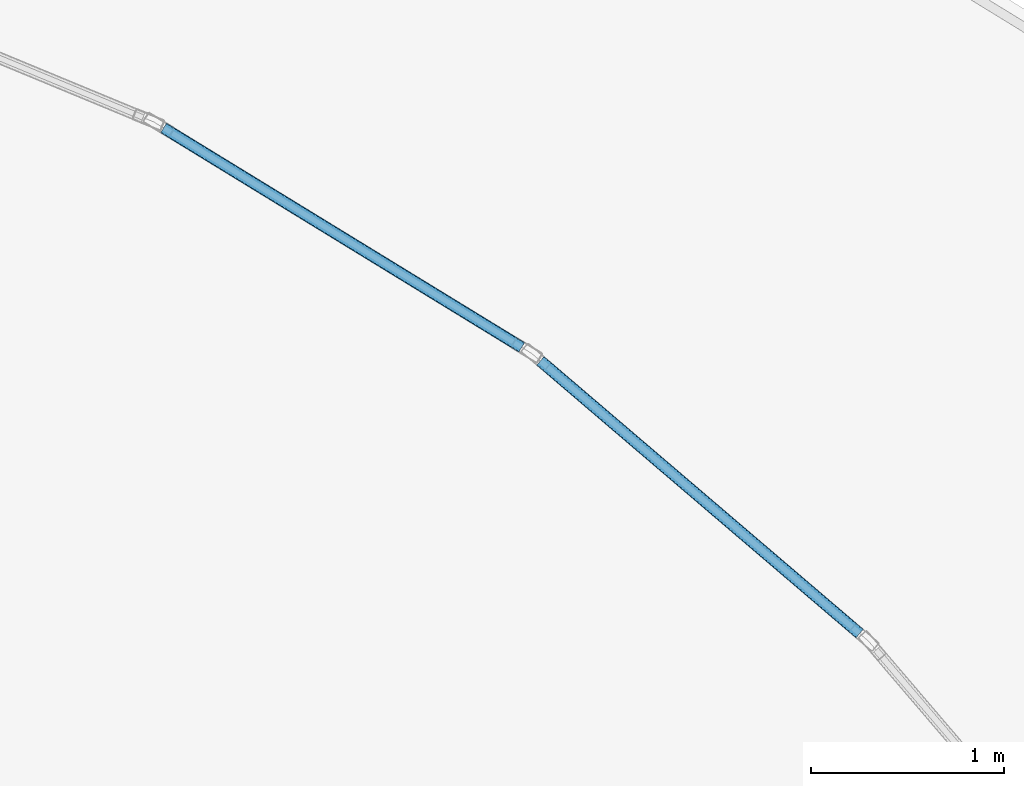
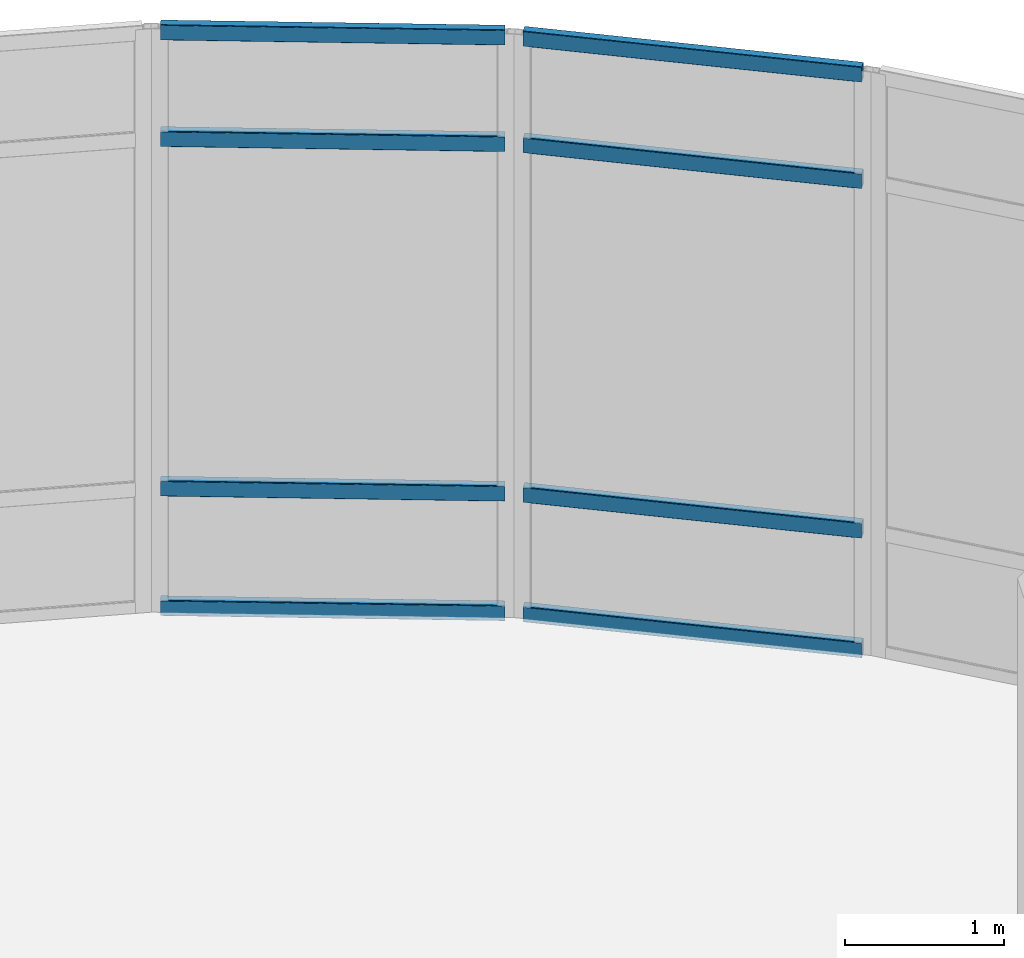
# One storey, part 50 of 76: 8 members, 2 elements without a shape of their own.
"""IFC4 building model written with IfcOpenShell, lengths in metres."""

import ifcopenshell
import ifcopenshell.guid

model = None  # the IFC model being written
_history = None  # IfcOwnerHistory: only IFC2X3 demands one
_inside = {}  # id of a spatial element -> (the spatial element, [elements in it])
_under = {}  # id of a project, library or spatial element -> (it, [spatial elements below it])
_declared = {}  # id of a project -> (the project, [libraries it declares])
_typed = {}  # id of a type object -> (the type object, [elements of that type])
_made_of = {}  # id of a material, layer set ... -> (it, [elements and type objects made of it])


def new_model(schema):
    """Start an empty IFC model of exactly this schema.

    Asked for "IFC4X3", IfcOpenShell would pick the latest addendum, in which some entities
    have other attributes; the version numbers below select the first issue.
    IFC2X3 requires an IfcOwnerHistory on every rooted entity: one is made here for all.
    """
    global model, _history
    if schema == "IFC4X3":
        model = ifcopenshell.file(schema_version=(4, 3, 0, 0))
    else:
        model = ifcopenshell.file(schema=schema)
    _inside.clear()
    _under.clear()
    _declared.clear()
    _typed.clear()
    _made_of.clear()
    _history = None
    if model.schema == "IFC2X3":
        org = make("IfcOrganization", Name="unknown")
        user = make(
            "IfcPersonAndOrganization",
            ThePerson=make("IfcPerson", FamilyName="unknown"),
            TheOrganization=org,
        )
        app = make(
            "IfcApplication",
            ApplicationDeveloper=org,
            Version="unknown",
            ApplicationFullName="unknown",
            ApplicationIdentifier="unknown",
        )
        _history = make(
            "IfcOwnerHistory",
            OwningUser=user,
            OwningApplication=app,
            ChangeAction="ADDED",
            CreationDate=0,
        )
    return model


def make(cls, **values):
    """One entity of the class cls with the attributes given. An attribute that is None is left unset."""
    return model.create_entity(
        cls, **{name: value for name, value in values.items() if value is not None}
    )


def rooted(cls, **values):
    """An entity with a GlobalId (a new one), such as an element, a storey or a relation."""
    return make(cls, GlobalId=ifcopenshell.guid.new(), OwnerHistory=_history, **values)


def si_unit(unit_type, name, prefix=None):
    """IfcSIUnit, for example si_unit("LENGTHUNIT", "METRE", prefix="MILLI")."""
    return make("IfcSIUnit", UnitType=unit_type, Prefix=prefix, Name=name)


def derived_unit(unit_type, elements):
    """IfcDerivedUnit: a product of units, each with its exponent."""
    return make(
        "IfcDerivedUnit",
        Elements=[
            make("IfcDerivedUnitElement", Unit=unit, Exponent=power)
            for unit, power in elements
        ],
        UnitType=unit_type,
    )


def assignment(units):
    """IfcUnitAssignment: the units of a project."""
    return None if units is None else make("IfcUnitAssignment", Units=units)


def point(xyz):
    """IfcCartesianPoint."""
    return None if xyz is None else make("IfcCartesianPoint", Coordinates=xyz)


def direction(xyz):
    """IfcDirection."""
    return None if xyz is None else make("IfcDirection", DirectionRatios=xyz)


def frame(location, z_axis=None, x_axis=None):
    """IfcAxis2Placement3D, a coordinate frame: its origin and axes. An axis left out is left unset."""
    return make(
        "IfcAxis2Placement3D",
        Location=point(location),
        Axis=direction(z_axis),
        RefDirection=direction(x_axis),
    )


def frame_2d(location, x_axis=None):
    """IfcAxis2Placement2D, a coordinate frame in the plane: its origin and x axis."""
    return make(
        "IfcAxis2Placement2D", Location=point(location), RefDirection=direction(x_axis)
    )


def origin():
    """The frame at (0, 0, 0) with its axes left unset."""
    return frame((0.0, 0.0, 0.0))


def origin_2d():
    """The frame at (0, 0) in the plane with its x axis left unset."""
    return frame_2d((0.0, 0.0))


def place(relative_to, where):
    """IfcLocalPlacement: puts the frame where relative to a parent placement (None: the world)."""
    return make(
        "IfcLocalPlacement", PlacementRelTo=relative_to, RelativePlacement=where
    )


def context(
    kind, dimensions, precision=None, world=None, true_north=None, identifier=None
):
    """IfcGeometricRepresentationContext, for example the 3D "Model" context."""
    return make(
        "IfcGeometricRepresentationContext",
        ContextIdentifier=identifier,
        ContextType=kind,
        CoordinateSpaceDimension=dimensions,
        Precision=precision,
        WorldCoordinateSystem=world,
        TrueNorth=true_north,
    )


def subcontext(parent, identifier, kind, view, scale=None):
    """IfcGeometricRepresentationSubContext, for example "Body" below "Model"."""
    return make(
        "IfcGeometricRepresentationSubContext",
        ContextIdentifier=identifier,
        ContextType=kind,
        ParentContext=parent,
        TargetScale=scale,
        TargetView=view,
    )


def project(units=None, contexts=None):
    """IfcProject with its units and contexts."""
    return rooted(
        "IfcProject",
        Name="project",
        RepresentationContexts=contexts,
        UnitsInContext=assignment(units),
    )


def spatial(cls, under=None, at=None, **own):
    """A site, building, storey or space (cls), placed at a placement, below another one or the project."""
    s = rooted(cls, ObjectPlacement=at, **own)
    if under is not None:
        _under.setdefault(under.id(), (under, []))[1].append(s)
    return s


def profile(cls, at=None, kind="AREA", **sizes):
    """A parametric profile (cls). Its sizes go by their IFC names, for example OverallWidth=200.0."""
    return make(cls, ProfileType=kind, Position=at, **sizes)


def hollow_rectangle(**sizes):
    """IfcRectangleHollowProfileDef."""
    return profile("IfcRectangleHollowProfileDef", **sizes)


def extrude(swept, where, along, depth):
    """IfcExtrudedAreaSolid: the profile swept, set in the frame where, extruded along a direction by depth."""
    return make(
        "IfcExtrudedAreaSolid",
        SweptArea=swept,
        Position=where,
        ExtrudedDirection=direction(along),
        Depth=depth,
    )


def shape(context_of_items, identifier, shape_type, items):
    """IfcShapeRepresentation: the items that make up one representation, for example the "Body"."""
    return make(
        "IfcShapeRepresentation",
        ContextOfItems=context_of_items,
        RepresentationIdentifier=identifier,
        RepresentationType=shape_type,
        Items=items,
    )


def material(Name=None, Category=None):
    """IfcMaterial."""
    return make("IfcMaterial", Name=Name, Category=Category)


def layer(
    of_material, thickness, ventilated=None, Name=None, Category=None, Priority=None
):
    """IfcMaterialLayer: one layer of a wall or slab, of a material (None: an air gap)."""
    return make(
        "IfcMaterialLayer",
        Material=of_material,
        LayerThickness=thickness,
        IsVentilated=ventilated,
        Name=Name,
        Category=Category,
        Priority=Priority,
    )


def layer_set(layers, Name=None):
    """IfcMaterialLayerSet."""
    return make("IfcMaterialLayerSet", MaterialLayers=layers, LayerSetName=Name)


def material_profile(
    of_material, cross_section, Name=None, Category=None, Priority=None
):
    """IfcMaterialProfile: a cross section and its material."""
    return make(
        "IfcMaterialProfile",
        Name=Name,
        Material=of_material,
        Profile=cross_section,
        Priority=Priority,
        Category=Category,
    )


def profile_set(profiles, Name=None, composite=None):
    """IfcMaterialProfileSet."""
    return make(
        "IfcMaterialProfileSet",
        Name=Name,
        MaterialProfiles=profiles,
        CompositeProfile=composite,
    )


def made_of(thing, what):
    """Note that an element or type object is made of a material, layer set ...; save() writes the relation."""
    if what is not None:
        _made_of.setdefault(what.id(), (what, []))[1].append(thing)
    return thing


def type_object(cls, material=None, **own):
    """A type object (cls), such as IfcWallType, which elements share."""
    return made_of(rooted(cls, **own), material)


def element(
    cls,
    number,
    at=None,
    inside=None,
    cuts=None,
    type_object=None,
    material=None,
    context=None,
    identifier="Body",
    shape_type=None,
    held_by="IfcProductDefinitionShape",
    body=None,
    shapes=None,
    **own,
):
    """One element of the class cls, such as IfcWall. Its Tag is "e" and its number.

    at: its placement. inside: the storey or other place that contains it. cuts: it is an
    opening in that element (IfcRelVoidsElement). A single representation is given by context,
    identifier, shape_type and body (its items); several are given by shapes. held_by: the class
    of the entity that holds the representations. save() writes the other relations.
    """
    e = rooted(cls, Tag="e%d" % number, ObjectPlacement=at, **own)
    if body is not None:
        shapes = [shape(context, identifier, shape_type, body)]
    if shapes is not None:
        e.Representation = make(held_by, Representations=shapes)
    if inside is not None:
        _inside.setdefault(inside.id(), (inside, []))[1].append(e)
    if cuts is not None:
        rooted(
            "IfcRelVoidsElement", RelatingBuildingElement=cuts, RelatedOpeningElement=e
        )
    if type_object is not None:
        _typed.setdefault(type_object.id(), (type_object, []))[1].append(e)
    return made_of(e, material)


def aggregate(whole, parts):
    """IfcRelAggregates: a whole, such as a stair, and the parts it consists of."""
    return rooted("IfcRelAggregates", RelatingObject=whole, RelatedObjects=parts)


def save(model, path):
    """Write the relations noted so far, then the file.

    IfcRelAggregates (storeys below a building ...), IfcRelContainedInSpatialStructure (elements
    in a storey), IfcRelDefinesByType, IfcRelAssociatesMaterial and IfcRelDeclares: one each for
    every whole, place, type object, material and project.
    """
    for whole, parts in _under.values():
        aggregate(whole, parts)
    for where, things in _inside.values():
        rooted(
            "IfcRelContainedInSpatialStructure",
            RelatedElements=things,
            RelatingStructure=where,
        )
    for kind, things in _typed.values():
        rooted("IfcRelDefinesByType", RelatedObjects=things, RelatingType=kind)
    for what, things in _made_of.values():
        rooted("IfcRelAssociatesMaterial", RelatedObjects=things, RelatingMaterial=what)
    for by, libraries in _declared.values():
        rooted("IfcRelDeclares", RelatingContext=by, RelatedDefinitions=libraries)
    model.write(path)


model = new_model("IFC4")

# Units and contexts
model_context = context("Model", 3, precision=1e-05, world=origin(), true_north=direction((0.0, 1.0)))
body_context = subcontext(model_context, "Body", "Model", "MODEL_VIEW")
ifc_project = project(units=[si_unit("LENGTHUNIT", "METRE"), si_unit("AREAUNIT", "SQUARE_METRE"), si_unit("VOLUMEUNIT", "CUBIC_METRE"), si_unit("PLANEANGLEUNIT", "RADIAN"), si_unit("MASSUNIT", "GRAM", prefix="KILO"), derived_unit("THERMALTRANSMITTANCEUNIT", [(si_unit("MASSUNIT", "GRAM", prefix="KILO"), 1), (si_unit("TIMEUNIT", "SECOND"), -3), (si_unit("THERMODYNAMICTEMPERATUREUNIT", "KELVIN"), -1)])], contexts=[model_context])

# Site, building, storey
site_placement = place(None, origin())
site = spatial("IfcSite", under=ifc_project, at=site_placement, CompositionType="ELEMENT")
building_placement = place(site_placement, origin())
building = spatial("IfcBuilding", under=site, at=building_placement, Name="Qinzheling Arcade Emporium", CompositionType="ELEMENT")
storey_placement = place(building_placement, frame((0.0, 0.0, 26.699951171875)))
storey = spatial("IfcBuildingStorey", under=building, at=storey_placement, Name="L06", CompositionType="ELEMENT", Elevation=26.699951171875)

# Curtain wall, members
ifc_material_1 = material(Name="Anodised aluminium and solar-control double glazing", Category="aluminium")
ifc_layer = layer(ifc_material_1, 0.159912109375, Name="Anodised aluminium and solar-control double glazing", Category="aluminium")
ifc_layer_set = layer_set([ifc_layer], Name="Anodised aluminium and solar-control double glazing")
curtain_wall_type = type_object("IfcCurtainWallType", Name="Curved Ribbon Sales Curtain Wall", PredefinedType="NOTDEFINED", material=ifc_layer_set)
curtain_wall_1_placement = place(storey_placement, origin())
curtain_wall_1 = element("IfcCurtainWall", 1, at=curtain_wall_1_placement, inside=storey, type_object=curtain_wall_type, Name="Curtain Wall CW-L06-386", PredefinedType="NOTDEFINED")
ifc_material_2 = material(Name="Anodised aluminium 6063-T6", Category="aluminium")
ifc_material_profile = material_profile(ifc_material_2, hollow_rectangle(XDim=0.06005859375, YDim=0.1201171875, WallThickness=0.00390625, InnerFilletRadius=0.00390625, OuterFilletRadius=0.008056640625, at=origin_2d()), Name="RHS 120x60x4", Category="aluminium")
ifc_profile_set = profile_set([ifc_material_profile], Name="Anodised aluminium 6063-T6")
member_type = type_object("IfcMemberType", Name="Curtain Wall Transom RHS120x60", PredefinedType="USERDEFINED", material=ifc_profile_set)
member_1_placement = place(storey_placement, frame((127.279052734375, 105.177734375, 0.030029296875), z_axis=(0.852745025715, -0.522327407972, 0.0), x_axis=(0.522327407972, 0.852745025715, 0.0)))
member_1 = element("IfcMember", 2, at=member_1_placement, type_object=member_type, Name="CW02 transom 1.1", ObjectType="TRANSOM", PredefinedType="USERDEFINED", context=body_context, shape_type="SweptSolid", body=[
    extrude(hollow_rectangle(XDim=0.06005859375, YDim=0.1201171875, WallThickness=0.00390625, InnerFilletRadius=0.00390625, OuterFilletRadius=0.008056640625, at=origin_2d()), origin(), (0.0, 0.0, 1.0), 2.171630859375),
])
member_2_placement = place(storey_placement, frame((127.279052734375, 105.177734375, 0.949951171875), z_axis=(0.852745025715, -0.522327407972, 0.0), x_axis=(0.522327407972, 0.852745025715, 0.0)))
member_2 = element("IfcMember", 3, at=member_2_placement, type_object=member_type, Name="CW02 transom 1.2", ObjectType="TRANSOM", PredefinedType="USERDEFINED", context=body_context, shape_type="SweptSolid", body=[
    extrude(hollow_rectangle(XDim=0.06005859375, YDim=0.1201171875, WallThickness=0.00390625, InnerFilletRadius=0.00390625, OuterFilletRadius=0.008056640625, at=origin_2d()), origin(), (0.0, 0.0, 1.0), 2.171630859375),
])
member_3_placement = place(storey_placement, frame((127.279052734375, 105.177734375, 3.64013671875), z_axis=(0.852745025715, -0.522327407972, 0.0), x_axis=(0.522327407972, 0.852745025715, 0.0)))
member_3 = element("IfcMember", 4, at=member_3_placement, type_object=member_type, Name="CW02 transom 1.3", ObjectType="TRANSOM", PredefinedType="USERDEFINED", context=body_context, shape_type="SweptSolid", body=[
    extrude(hollow_rectangle(XDim=0.06005859375, YDim=0.1201171875, WallThickness=0.00390625, InnerFilletRadius=0.00390625, OuterFilletRadius=0.008056640625, at=origin_2d()), origin(), (0.0, 0.0, 1.0), 2.171630859375),
])
member_4_placement = place(storey_placement, frame((127.279052734375, 105.177734375, 4.4599609375), z_axis=(0.852745025715, -0.522327407972, 0.0), x_axis=(0.522327407972, 0.852745025715, 0.0)))
member_4 = element("IfcMember", 5, at=member_4_placement, type_object=member_type, Name="CW02 transom 1.4", ObjectType="TRANSOM", PredefinedType="USERDEFINED", context=body_context, shape_type="SweptSolid", body=[
    extrude(hollow_rectangle(XDim=0.06005859375, YDim=0.1201171875, WallThickness=0.00390625, InnerFilletRadius=0.00390625, OuterFilletRadius=0.008056640625, at=origin_2d()), origin(), (0.0, 0.0, 1.0), 2.171630859375),
])
aggregate(curtain_wall_1, [member_1, member_2, member_3, member_4])

curtain_wall_2_placement = place(storey_placement, origin())
curtain_wall_2 = element("IfcCurtainWall", 6, at=curtain_wall_2_placement, inside=storey, type_object=curtain_wall_type, Name="Curtain Wall CW-L06-387", PredefinedType="NOTDEFINED")
member_5_placement = place(storey_placement, frame((129.2275390625, 103.97314453125, 0.030029296875), z_axis=(0.760366736628, -0.649493976747, 0.0), x_axis=(0.649493976747, 0.760366736628, 0.0)))
member_5 = element("IfcMember", 7, at=member_5_placement, type_object=member_type, Name="CW02 transom 1.1", ObjectType="TRANSOM", PredefinedType="USERDEFINED", context=body_context, shape_type="SweptSolid", body=[
    extrude(hollow_rectangle(XDim=0.06005859375, YDim=0.1201171875, WallThickness=0.00390625, InnerFilletRadius=0.00390625, OuterFilletRadius=0.008056640625, at=origin_2d()), origin(), (0.0, 0.0, 1.0), 2.171142578125),
])
member_6_placement = place(storey_placement, frame((129.2275390625, 103.97314453125, 0.949951171875), z_axis=(0.760366736628, -0.649493976747, 0.0), x_axis=(0.649493976747, 0.760366736628, 0.0)))
member_6 = element("IfcMember", 8, at=member_6_placement, type_object=member_type, Name="CW02 transom 1.2", ObjectType="TRANSOM", PredefinedType="USERDEFINED", context=body_context, shape_type="SweptSolid", body=[
    extrude(hollow_rectangle(XDim=0.06005859375, YDim=0.1201171875, WallThickness=0.00390625, InnerFilletRadius=0.00390625, OuterFilletRadius=0.008056640625, at=origin_2d()), origin(), (0.0, 0.0, 1.0), 2.171142578125),
])
member_7_placement = place(storey_placement, frame((129.2275390625, 103.97314453125, 3.64013671875), z_axis=(0.760366736628, -0.649493976747, 0.0), x_axis=(0.649493976747, 0.760366736628, 0.0)))
member_7 = element("IfcMember", 9, at=member_7_placement, type_object=member_type, Name="CW02 transom 1.3", ObjectType="TRANSOM", PredefinedType="USERDEFINED", context=body_context, shape_type="SweptSolid", body=[
    extrude(hollow_rectangle(XDim=0.06005859375, YDim=0.1201171875, WallThickness=0.00390625, InnerFilletRadius=0.00390625, OuterFilletRadius=0.008056640625, at=origin_2d()), origin(), (0.0, 0.0, 1.0), 2.171142578125),
])
member_8_placement = place(storey_placement, frame((129.2275390625, 103.97314453125, 4.4599609375), z_axis=(0.760366736628, -0.649493976747, 0.0), x_axis=(0.649493976747, 0.760366736628, 0.0)))
member_8 = element("IfcMember", 10, at=member_8_placement, type_object=member_type, Name="CW02 transom 1.4", ObjectType="TRANSOM", PredefinedType="USERDEFINED", context=body_context, shape_type="SweptSolid", body=[
    extrude(hollow_rectangle(XDim=0.06005859375, YDim=0.1201171875, WallThickness=0.00390625, InnerFilletRadius=0.00390625, OuterFilletRadius=0.008056640625, at=origin_2d()), origin(), (0.0, 0.0, 1.0), 2.171142578125),
])
aggregate(curtain_wall_2, [member_5, member_6, member_7, member_8])

save(model, "model.ifc")
